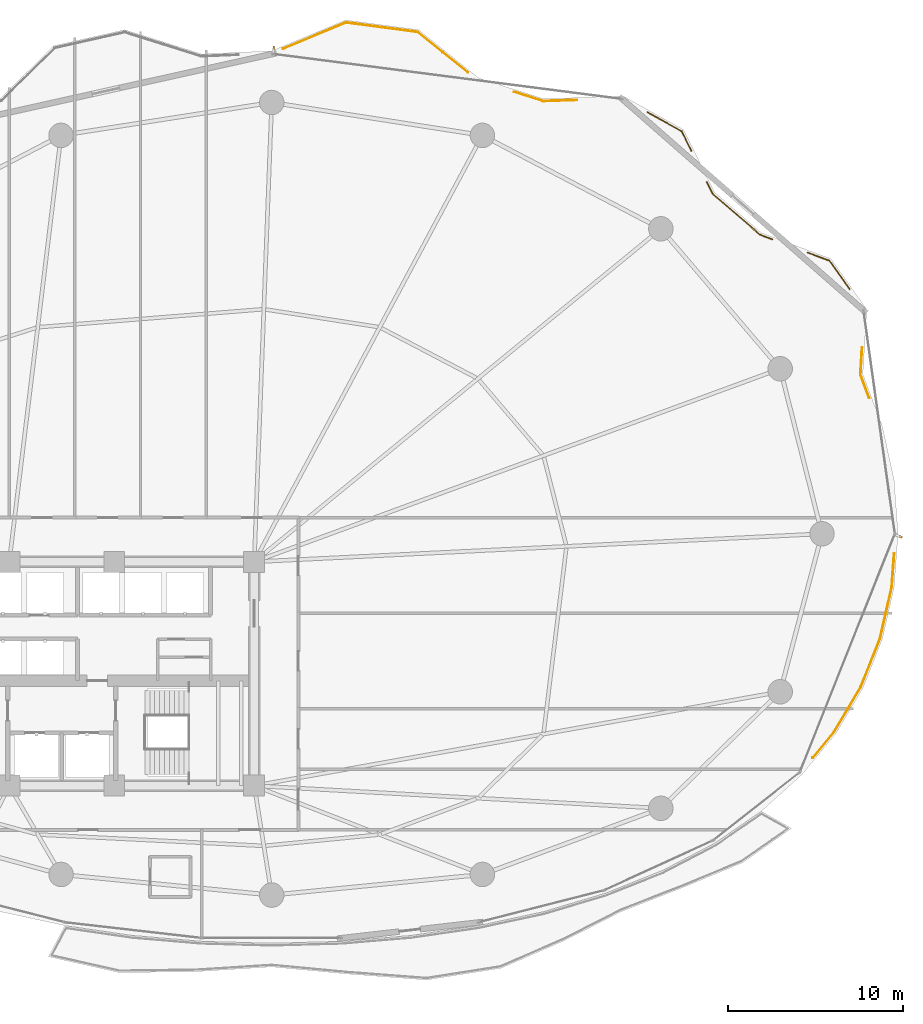
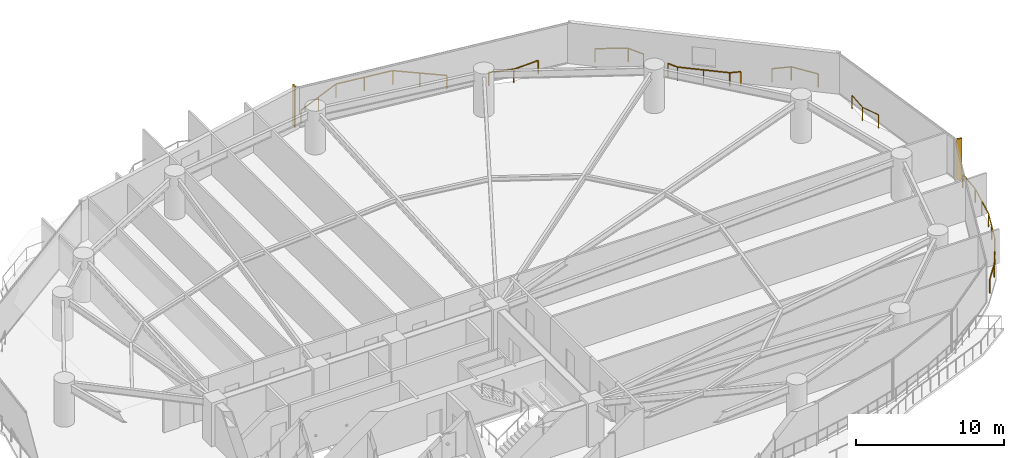
# One storey, part 31 of 31: 7 railings, 2 shading devices.
"""IFC4 building model written with IfcOpenShell, lengths in metres."""

import ifcopenshell
import ifcopenshell.guid

model = None  # the IFC model being written
_history = None  # IfcOwnerHistory: only IFC2X3 demands one
_inside = {}  # id of a spatial element -> (the spatial element, [elements in it])
_under = {}  # id of a project, library or spatial element -> (it, [spatial elements below it])
_declared = {}  # id of a project -> (the project, [libraries it declares])
_typed = {}  # id of a type object -> (the type object, [elements of that type])
_made_of = {}  # id of a material, layer set ... -> (it, [elements and type objects made of it])


def new_model(schema):
    """Start an empty IFC model of exactly this schema.

    Asked for "IFC4X3", IfcOpenShell would pick the latest addendum, in which some entities
    have other attributes; the version numbers below select the first issue.
    IFC2X3 requires an IfcOwnerHistory on every rooted entity: one is made here for all.
    """
    global model, _history
    if schema == "IFC4X3":
        model = ifcopenshell.file(schema_version=(4, 3, 0, 0))
    else:
        model = ifcopenshell.file(schema=schema)
    _inside.clear()
    _under.clear()
    _declared.clear()
    _typed.clear()
    _made_of.clear()
    _history = None
    if model.schema == "IFC2X3":
        org = make("IfcOrganization", Name="unknown")
        user = make(
            "IfcPersonAndOrganization",
            ThePerson=make("IfcPerson", FamilyName="unknown"),
            TheOrganization=org,
        )
        app = make(
            "IfcApplication",
            ApplicationDeveloper=org,
            Version="unknown",
            ApplicationFullName="unknown",
            ApplicationIdentifier="unknown",
        )
        _history = make(
            "IfcOwnerHistory",
            OwningUser=user,
            OwningApplication=app,
            ChangeAction="ADDED",
            CreationDate=0,
        )
    return model


def make(cls, **values):
    """One entity of the class cls with the attributes given. An attribute that is None is left unset."""
    return model.create_entity(
        cls, **{name: value for name, value in values.items() if value is not None}
    )


def rooted(cls, **values):
    """An entity with a GlobalId (a new one), such as an element, a storey or a relation."""
    return make(cls, GlobalId=ifcopenshell.guid.new(), OwnerHistory=_history, **values)


def si_unit(unit_type, name, prefix=None):
    """IfcSIUnit, for example si_unit("LENGTHUNIT", "METRE", prefix="MILLI")."""
    return make("IfcSIUnit", UnitType=unit_type, Prefix=prefix, Name=name)


def assignment(units):
    """IfcUnitAssignment: the units of a project."""
    return None if units is None else make("IfcUnitAssignment", Units=units)


def point(xyz):
    """IfcCartesianPoint."""
    return None if xyz is None else make("IfcCartesianPoint", Coordinates=xyz)


def direction(xyz):
    """IfcDirection."""
    return None if xyz is None else make("IfcDirection", DirectionRatios=xyz)


def frame(location, z_axis=None, x_axis=None):
    """IfcAxis2Placement3D, a coordinate frame: its origin and axes. An axis left out is left unset."""
    return make(
        "IfcAxis2Placement3D",
        Location=point(location),
        Axis=direction(z_axis),
        RefDirection=direction(x_axis),
    )


def frame_2d(location, x_axis=None):
    """IfcAxis2Placement2D, a coordinate frame in the plane: its origin and x axis."""
    return make(
        "IfcAxis2Placement2D", Location=point(location), RefDirection=direction(x_axis)
    )


def origin():
    """The frame at (0, 0, 0) with its axes left unset."""
    return frame((0.0, 0.0, 0.0))


def origin_2d():
    """The frame at (0, 0) in the plane with its x axis left unset."""
    return frame_2d((0.0, 0.0))


def place(relative_to, where):
    """IfcLocalPlacement: puts the frame where relative to a parent placement (None: the world)."""
    return make(
        "IfcLocalPlacement", PlacementRelTo=relative_to, RelativePlacement=where
    )


def context(
    kind, dimensions, precision=None, world=None, true_north=None, identifier=None
):
    """IfcGeometricRepresentationContext, for example the 3D "Model" context."""
    return make(
        "IfcGeometricRepresentationContext",
        ContextIdentifier=identifier,
        ContextType=kind,
        CoordinateSpaceDimension=dimensions,
        Precision=precision,
        WorldCoordinateSystem=world,
        TrueNorth=true_north,
    )


def subcontext(parent, identifier, kind, view, scale=None):
    """IfcGeometricRepresentationSubContext, for example "Body" below "Model"."""
    return make(
        "IfcGeometricRepresentationSubContext",
        ContextIdentifier=identifier,
        ContextType=kind,
        ParentContext=parent,
        TargetScale=scale,
        TargetView=view,
    )


def project(units=None, contexts=None):
    """IfcProject with its units and contexts."""
    return rooted(
        "IfcProject",
        Name="project",
        RepresentationContexts=contexts,
        UnitsInContext=assignment(units),
    )


def spatial(cls, under=None, at=None, **own):
    """A site, building, storey or space (cls), placed at a placement, below another one or the project."""
    s = rooted(cls, ObjectPlacement=at, **own)
    if under is not None:
        _under.setdefault(under.id(), (under, []))[1].append(s)
    return s


def profile(cls, at=None, kind="AREA", **sizes):
    """A parametric profile (cls). Its sizes go by their IFC names, for example OverallWidth=200.0."""
    return make(cls, ProfileType=kind, Position=at, **sizes)


def rectangle(**sizes):
    """IfcRectangleProfileDef."""
    return profile("IfcRectangleProfileDef", **sizes)


def extrude(swept, where, along, depth):
    """IfcExtrudedAreaSolid: the profile swept, set in the frame where, extruded along a direction by depth."""
    return make(
        "IfcExtrudedAreaSolid",
        SweptArea=swept,
        Position=where,
        ExtrudedDirection=direction(along),
        Depth=depth,
    )


def shape(context_of_items, identifier, shape_type, items):
    """IfcShapeRepresentation: the items that make up one representation, for example the "Body"."""
    return make(
        "IfcShapeRepresentation",
        ContextOfItems=context_of_items,
        RepresentationIdentifier=identifier,
        RepresentationType=shape_type,
        Items=items,
    )


def material(Name=None, Category=None):
    """IfcMaterial."""
    return make("IfcMaterial", Name=Name, Category=Category)


def made_of(thing, what):
    """Note that an element or type object is made of a material, layer set ...; save() writes the relation."""
    if what is not None:
        _made_of.setdefault(what.id(), (what, []))[1].append(thing)
    return thing


def type_object(cls, material=None, **own):
    """A type object (cls), such as IfcWallType, which elements share."""
    return made_of(rooted(cls, **own), material)


def element(
    cls,
    number,
    at=None,
    inside=None,
    cuts=None,
    type_object=None,
    material=None,
    context=None,
    identifier="Body",
    shape_type=None,
    held_by="IfcProductDefinitionShape",
    body=None,
    shapes=None,
    **own,
):
    """One element of the class cls, such as IfcWall. Its Tag is "e" and its number.

    at: its placement. inside: the storey or other place that contains it. cuts: it is an
    opening in that element (IfcRelVoidsElement). A single representation is given by context,
    identifier, shape_type and body (its items); several are given by shapes. held_by: the class
    of the entity that holds the representations. save() writes the other relations.
    """
    e = rooted(cls, Tag="e%d" % number, ObjectPlacement=at, **own)
    if body is not None:
        shapes = [shape(context, identifier, shape_type, body)]
    if shapes is not None:
        e.Representation = make(held_by, Representations=shapes)
    if inside is not None:
        _inside.setdefault(inside.id(), (inside, []))[1].append(e)
    if cuts is not None:
        rooted(
            "IfcRelVoidsElement", RelatingBuildingElement=cuts, RelatedOpeningElement=e
        )
    if type_object is not None:
        _typed.setdefault(type_object.id(), (type_object, []))[1].append(e)
    return made_of(e, material)


def aggregate(whole, parts):
    """IfcRelAggregates: a whole, such as a stair, and the parts it consists of."""
    return rooted("IfcRelAggregates", RelatingObject=whole, RelatedObjects=parts)


def save(model, path):
    """Write the relations noted so far, then the file.

    IfcRelAggregates (storeys below a building ...), IfcRelContainedInSpatialStructure (elements
    in a storey), IfcRelDefinesByType, IfcRelAssociatesMaterial and IfcRelDeclares: one each for
    every whole, place, type object, material and project.
    """
    for whole, parts in _under.values():
        aggregate(whole, parts)
    for where, things in _inside.values():
        rooted(
            "IfcRelContainedInSpatialStructure",
            RelatedElements=things,
            RelatingStructure=where,
        )
    for kind, things in _typed.values():
        rooted("IfcRelDefinesByType", RelatedObjects=things, RelatingType=kind)
    for what, things in _made_of.values():
        rooted("IfcRelAssociatesMaterial", RelatedObjects=things, RelatingMaterial=what)
    for by, libraries in _declared.values():
        rooted("IfcRelDeclares", RelatingContext=by, RelatedDefinitions=libraries)
    model.write(path)


model = new_model("IFC4")

# Units and contexts
model_context = context("Model", 3, precision=1e-05, world=origin(), true_north=direction((0.0, 1.0)))
body_context = subcontext(model_context, "Body", "Model", "MODEL_VIEW")
ifc_project = project(units=[si_unit("LENGTHUNIT", "METRE"), si_unit("AREAUNIT", "SQUARE_METRE"), si_unit("VOLUMEUNIT", "CUBIC_METRE"), si_unit("PLANEANGLEUNIT", "RADIAN"), si_unit("MASSUNIT", "GRAM", prefix="KILO")], contexts=[model_context])

# Site, building, storey
site_placement = place(None, origin())
site = spatial("IfcSite", under=ifc_project, at=site_placement, CompositionType="ELEMENT")
building_placement = place(site_placement, origin())
building = spatial("IfcBuilding", under=site, at=building_placement, Name="Kazevale Care Tower and Concert Hall", CompositionType="ELEMENT")
storey_placement = place(building_placement, frame((0.0, 0.0, 63.60009765625)))
storey = spatial("IfcBuildingStorey", under=building, at=storey_placement, Name="L16", CompositionType="ELEMENT", Elevation=63.60009765625)

# Railings
ifc_material_1 = material(Name="Anodised Bronze Aluminium and Laminated Glass", Category="aluminium")
railing_type = type_object("IfcRailingType", Name="Balcony and Terrace Balustrade 1120", PredefinedType="BALUSTRADE", material=ifc_material_1)
railing_1_placement = place(storey_placement, frame((45.662109375, 65.72509765625, 0.0)))
element("IfcRailing", 1, at=railing_1_placement, inside=storey, type_object=railing_type, Name="rail:L16:perim:6", PredefinedType="BALUSTRADE", context=body_context, shape_type="SweptSolid", body=[
    extrude(rectangle(XDim=0.048095703125, YDim=0.048095703125, at=origin_2d()), frame((0.0, 0.0, 1.09619140625), z_axis=(0.922935495633, 0.384954634861, 0.0), x_axis=(-0.384954634861, 0.922935495633, 0.0)), (0.0, 0.0, 1.0), 3.88330078125),
    extrude(rectangle(XDim=0.048095703125, YDim=0.048095703125, at=origin_2d()), frame((3.583984375, 1.494873046875, 1.09619140625), z_axis=(0.991270154013, -0.131846432499, 0.0), x_axis=(0.131846432499, 0.991270154013, 0.0)), (0.0, 0.0, 1.0), 4.133056640625),
    extrude(rectangle(XDim=0.048095703125, YDim=0.048095703125, at=origin_2d()), frame((7.680908203125, 0.949951171875, 1.09619140625), z_axis=(0.778836557987, -0.627226925397, 0.0), x_axis=(0.627226925397, 0.778836557987, 0.0)), (0.0, 0.0, 1.0), 3.687744140625),
    extrude(rectangle(XDim=0.0419921875, YDim=0.0419921875, at=origin_2d()), origin(), (0.0, 0.0, 1.0), 1.072021484375),
    extrude(rectangle(XDim=0.0419921875, YDim=0.0419921875, at=origin_2d()), frame((1.7919921875, 0.74755859375, 0.0)), (0.0, 0.0, 1.0), 1.072021484375),
    extrude(rectangle(XDim=0.0419921875, YDim=0.0419921875, at=origin_2d()), frame((3.583984375, 1.494873046875, 0.0)), (0.0, 0.0, 1.0), 1.072021484375),
    extrude(rectangle(XDim=0.0419921875, YDim=0.0419921875, at=origin_2d()), frame((5.63232421875, 1.222412109375, 0.0)), (0.0, 0.0, 1.0), 1.072021484375),
    extrude(rectangle(XDim=0.0419921875, YDim=0.0419921875, at=origin_2d()), frame((7.680908203125, 0.949951171875, 0.0)), (0.0, 0.0, 1.0), 1.072021484375),
    extrude(rectangle(XDim=0.0419921875, YDim=0.0419921875, at=origin_2d()), frame((9.116943359375, -0.20654296875, 0.0)), (0.0, 0.0, 1.0), 1.072021484375),
    extrude(rectangle(XDim=0.0419921875, YDim=0.0419921875, at=origin_2d()), frame((10.552978515625, -1.363037109375, 0.0)), (0.0, 0.0, 1.0), 1.072021484375),
])
railing_2_placement = place(storey_placement, frame((58.860107421875, 63.25390625, 0.0)))
element("IfcRailing", 2, at=railing_2_placement, inside=storey, type_object=railing_type, Name="rail:L16:perim:7", PredefinedType="BALUSTRADE", context=body_context, shape_type="SweptSolid", body=[
    extrude(rectangle(XDim=0.048095703125, YDim=0.048095703125, at=origin_2d()), frame((0.0, 0.0, 1.09619140625), z_axis=(0.952655744415, -0.304051036231, 0.0), x_axis=(0.304051036231, 0.952655744415, 0.0)), (0.0, 0.0, 1.0), 1.736083984375),
    extrude(rectangle(XDim=0.048095703125, YDim=0.048095703125, at=origin_2d()), frame((1.65380859375, -0.52783203125, 1.09619140625), z_axis=(0.999433903687, 0.033643307818, 0.0), x_axis=(-0.033643307818, 0.999433903687, 0.0)), (0.0, 0.0, 1.0), 1.93017578125),
    extrude(rectangle(XDim=0.0419921875, YDim=0.0419921875, at=origin_2d()), origin(), (0.0, 0.0, 1.0), 1.072021484375),
    extrude(rectangle(XDim=0.0419921875, YDim=0.0419921875, at=origin_2d()), frame((1.65380859375, -0.52783203125, 0.0)), (0.0, 0.0, 1.0), 1.072021484375),
    extrude(rectangle(XDim=0.0419921875, YDim=0.0419921875, at=origin_2d()), frame((3.5830078125, -0.462890625, 0.0)), (0.0, 0.0, 1.0), 1.072021484375),
])
railing_3_placement = place(storey_placement, frame((66.472900390625, 62.089111328125, 0.0)))
element("IfcRailing", 3, at=railing_3_placement, inside=storey, type_object=railing_type, Name="rail:L16:perim:8", PredefinedType="BALUSTRADE", context=body_context, shape_type="SweptSolid", body=[
    extrude(rectangle(XDim=0.048095703125, YDim=0.048095703125, at=origin_2d()), frame((0.0, 0.0, 1.09619140625), z_axis=(0.874275517838, -0.485430035029, 0.0), x_axis=(0.485430035029, 0.874275517838, 0.0)), (0.0, 0.0, 1.0), 2.239501953125),
    extrude(rectangle(XDim=0.048095703125, YDim=0.048095703125, at=origin_2d()), frame((1.9580078125, -1.087158203125, 1.09619140625), z_axis=(0.444046102308, -0.896003939179, 0.0), x_axis=(0.896003939179, 0.444046102308, 0.0)), (0.0, 0.0, 1.0), 1.234375),
    extrude(rectangle(XDim=0.0419921875, YDim=0.0419921875, at=origin_2d()), origin(), (0.0, 0.0, 1.0), 1.072021484375),
    extrude(rectangle(XDim=0.0419921875, YDim=0.0419921875, at=origin_2d()), frame((1.9580078125, -1.087158203125, 0.0)), (0.0, 0.0, 1.0), 1.072021484375),
    extrude(rectangle(XDim=0.0419921875, YDim=0.0419921875, at=origin_2d()), frame((2.506103515625, -2.193115234375, 0.0)), (0.0, 0.0, 1.0), 1.072021484375),
])
railing_4_placement = place(storey_placement, frame((69.863037109375, 58.112060546875, 0.0)))
element("IfcRailing", 4, at=railing_4_placement, inside=storey, type_object=railing_type, Name="rail:L16:perim:9", PredefinedType="BALUSTRADE", context=body_context, shape_type="SweptSolid", body=[
    extrude(rectangle(XDim=0.048095703125, YDim=0.048095703125, at=origin_2d()), frame((0.0, 0.0, 1.09619140625), z_axis=(0.444393893797, -0.895831494845, 0.0), x_axis=(0.895831494845, 0.444393893797, 0.0)), (0.0, 0.0, 1.0), 0.762451171875),
    extrude(rectangle(XDim=0.048095703125, YDim=0.048095703125, at=origin_2d()), frame((0.3388671875, -0.68310546875, 1.09619140625), z_axis=(0.75707551803, -0.653327375823, 0.0), x_axis=(0.653327375823, 0.75707551803, 0.0)), (0.0, 0.0, 1.0), 3.586181640625),
    extrude(rectangle(XDim=0.048095703125, YDim=0.048095703125, at=origin_2d()), frame((3.053955078125, -3.026123046875, 1.09619140625), z_axis=(0.936649557244, -0.350267907344, 0.0), x_axis=(0.350267907344, 0.936649557244, 0.0)), (0.0, 0.0, 1.0), 0.750732421875),
    extrude(rectangle(XDim=0.0419921875, YDim=0.0419921875, at=origin_2d()), origin(), (0.0, 0.0, 1.0), 1.072021484375),
    extrude(rectangle(XDim=0.0419921875, YDim=0.0419921875, at=origin_2d()), frame((0.3388671875, -0.68310546875, 0.0)), (0.0, 0.0, 1.0), 1.072021484375),
    extrude(rectangle(XDim=0.0419921875, YDim=0.0419921875, at=origin_2d()), frame((1.6962890625, -1.8544921875, 0.0)), (0.0, 0.0, 1.0), 1.072021484375),
    extrude(rectangle(XDim=0.0419921875, YDim=0.0419921875, at=origin_2d()), frame((3.053955078125, -3.026123046875, 0.0)), (0.0, 0.0, 1.0), 1.072021484375),
    extrude(rectangle(XDim=0.0419921875, YDim=0.0419921875, at=origin_2d()), frame((3.757080078125, -3.2890625, 0.0)), (0.0, 0.0, 1.0), 1.072021484375),
])
railing_5_placement = place(storey_placement, frame((75.635009765625, 54.069091796875, 0.0)))
element("IfcRailing", 5, at=railing_5_placement, inside=storey, type_object=railing_type, Name="rail:L16:perim:10", PredefinedType="BALUSTRADE", context=body_context, shape_type="SweptSolid", body=[
    extrude(rectangle(XDim=0.048095703125, YDim=0.048095703125, at=origin_2d()), frame((0.0, 0.0, 1.09619140625), z_axis=(0.936458028314, -0.35077964765, 0.0), x_axis=(0.35077964765, 0.936458028314, 0.0)), (0.0, 0.0, 1.0), 1.322998046875),
    extrude(rectangle(XDim=0.048095703125, YDim=0.048095703125, at=origin_2d()), frame((1.239013671875, -0.464111328125, 1.09619140625), z_axis=(0.576750616528, -0.816920269264, 0.0), x_axis=(0.816920269264, 0.576750616528, 0.0)), (0.0, 0.0, 1.0), 1.990478515625),
    extrude(rectangle(XDim=0.0419921875, YDim=0.0419921875, at=origin_2d()), origin(), (0.0, 0.0, 1.0), 1.072021484375),
    extrude(rectangle(XDim=0.0419921875, YDim=0.0419921875, at=origin_2d()), frame((1.239013671875, -0.464111328125, 0.0)), (0.0, 0.0, 1.0), 1.072021484375),
    extrude(rectangle(XDim=0.0419921875, YDim=0.0419921875, at=origin_2d()), frame((2.386962890625, -2.090087890625, 0.0)), (0.0, 0.0, 1.0), 1.072021484375),
])
railing_6_placement = place(storey_placement, frame((80.575927734375, 36.864990234375, 0.0)))
element("IfcRailing", 6, at=railing_6_placement, inside=storey, type_object=railing_type, Name="rail:L16:perim:11", PredefinedType="BALUSTRADE", context=body_context, shape_type="SweptSolid", body=[
    extrude(rectangle(XDim=0.048095703125, YDim=0.048095703125, at=origin_2d()), frame((0.0, 0.0, 1.09619140625), z_axis=(-0.072929321708, -0.99733711153, 0.0), x_axis=(0.99733711153, -0.072929321708, 0.0)), (0.0, 0.0, 1.0), 1.918212890625),
    extrude(rectangle(XDim=0.048095703125, YDim=0.048095703125, at=origin_2d()), frame((-0.139892578125, -1.9130859375, 1.09619140625), z_axis=(-0.22169815306, -0.975115341347, 0.0), x_axis=(0.975115341347, -0.22169815306, 0.0)), (0.0, 0.0, 1.0), 3.012939453125),
    extrude(rectangle(XDim=0.048095703125, YDim=0.048095703125, at=origin_2d()), frame((-0.807861328125, -4.85107421875, 1.09619140625), z_axis=(-0.369500413357, -0.92923056586, 0.0), x_axis=(0.92923056586, -0.369500413357, 0.0)), (0.0, 0.0, 1.0), 2.985107421875),
    extrude(rectangle(XDim=0.048095703125, YDim=0.048095703125, at=origin_2d()), frame((-1.910888671875, -7.625, 1.09619140625), z_axis=(-0.510655847211, -0.859785209055, 0.0), x_axis=(0.859785209055, -0.510655847211, 0.0)), (0.0, 0.0, 1.0), 2.986572265625),
    extrude(rectangle(XDim=0.048095703125, YDim=0.048095703125, at=origin_2d()), frame((-3.43603515625, -10.19287109375, 1.09619140625), z_axis=(-0.636478085384, -0.771294785945, 0.0), x_axis=(0.771294785945, -0.636478085384, 0.0)), (0.0, 0.0, 1.0), 1.90869140625),
    extrude(rectangle(XDim=0.0419921875, YDim=0.0419921875, at=origin_2d()), origin(), (0.0, 0.0, 1.0), 1.072021484375),
    extrude(rectangle(XDim=0.0419921875, YDim=0.0419921875, at=origin_2d()), frame((-0.139892578125, -1.9130859375, 0.0)), (0.0, 0.0, 1.0), 1.072021484375),
    extrude(rectangle(XDim=0.0419921875, YDim=0.0419921875, at=origin_2d()), frame((-0.473876953125, -3.382080078125, 0.0)), (0.0, 0.0, 1.0), 1.072021484375),
    extrude(rectangle(XDim=0.0419921875, YDim=0.0419921875, at=origin_2d()), frame((-0.807861328125, -4.85107421875, 0.0)), (0.0, 0.0, 1.0), 1.072021484375),
    extrude(rectangle(XDim=0.0419921875, YDim=0.0419921875, at=origin_2d()), frame((-1.359375, -6.238037109375, 0.0)), (0.0, 0.0, 1.0), 1.072021484375),
    extrude(rectangle(XDim=0.0419921875, YDim=0.0419921875, at=origin_2d()), frame((-1.910888671875, -7.625, 0.0)), (0.0, 0.0, 1.0), 1.072021484375),
    extrude(rectangle(XDim=0.0419921875, YDim=0.0419921875, at=origin_2d()), frame((-2.67333984375, -8.908935546875, 0.0)), (0.0, 0.0, 1.0), 1.072021484375),
    extrude(rectangle(XDim=0.0419921875, YDim=0.0419921875, at=origin_2d()), frame((-3.43603515625, -10.19287109375, 0.0)), (0.0, 0.0, 1.0), 1.072021484375),
    extrude(rectangle(XDim=0.0419921875, YDim=0.0419921875, at=origin_2d()), frame((-4.65087890625, -11.6650390625, 0.0)), (0.0, 0.0, 1.0), 1.072021484375),
])
railing_7_placement = place(storey_placement, frame((78.741943359375, 48.64794921875, 0.0)))
element("IfcRailing", 7, at=railing_7_placement, inside=storey, type_object=railing_type, Name="rail:L16:perim:12", PredefinedType="BALUSTRADE", context=body_context, shape_type="SweptSolid", body=[
    extrude(rectangle(XDim=0.048095703125, YDim=0.048095703125, at=origin_2d()), frame((0.0, 0.0, 1.09619140625), z_axis=(-0.059751650803, -0.998213273918, 0.0), x_axis=(0.998213273918, -0.059751650803, 0.0)), (0.0, 0.0, 1.0), 1.556640625),
    extrude(rectangle(XDim=0.048095703125, YDim=0.048095703125, at=origin_2d()), frame((-0.093017578125, -1.553955078125, 1.09619140625), z_axis=(0.350671286185, -0.936498611342, 0.0), x_axis=(0.936498611342, 0.350671286185, 0.0)), (0.0, 0.0, 1.0), 1.420166015625),
    extrude(rectangle(XDim=0.0419921875, YDim=0.0419921875, at=origin_2d()), origin(), (0.0, 0.0, 1.0), 1.072021484375),
    extrude(rectangle(XDim=0.0419921875, YDim=0.0419921875, at=origin_2d()), frame((-0.093017578125, -1.553955078125, 0.0)), (0.0, 0.0, 1.0), 1.072021484375),
    extrude(rectangle(XDim=0.0419921875, YDim=0.0419921875, at=origin_2d()), frame((0.405029296875, -2.884033203125, 0.0)), (0.0, 0.0, 1.0), 1.072021484375),
])

# Shading devices
ifc_material_2 = material(Name="Honed Ochre Limestone", Category="masonry")
shading_device_type = type_object("IfcShadingDeviceType", Name="Vertical Honed Limestone Fin FIN-01", PredefinedType="USERDEFINED", material=ifc_material_2)
for number, where, z_axis, x_axis, name in (
    (8, (80.861572265625, 37.860595703125, 0.0), (0.0, 0.0, 1.0), (0.928874213199, -0.370395324019, 0.0), "cw:L16:f01:fin"),
    (9, (45.110595703125, 65.676025390625, 0.0), (0.0, 0.0, 1.0), (0.128103248172, 0.991760837, 0.0), "cw:L16:f16:fin"),
):
    element("IfcShadingDevice", number, at=place(storey_placement, frame(where, z_axis=z_axis, x_axis=x_axis)), inside=storey, type_object=shading_device_type, Name=name, ObjectType="FIN", PredefinedType="USERDEFINED", context=body_context, shape_type="SweptSolid", body=[
        extrude(rectangle(XDim=0.3798828125, YDim=0.1201171875, at=origin_2d()), origin(), (0.0, 0.0, 1.0), 3.360107421875),
    ])

save(model, "model.ifc")
